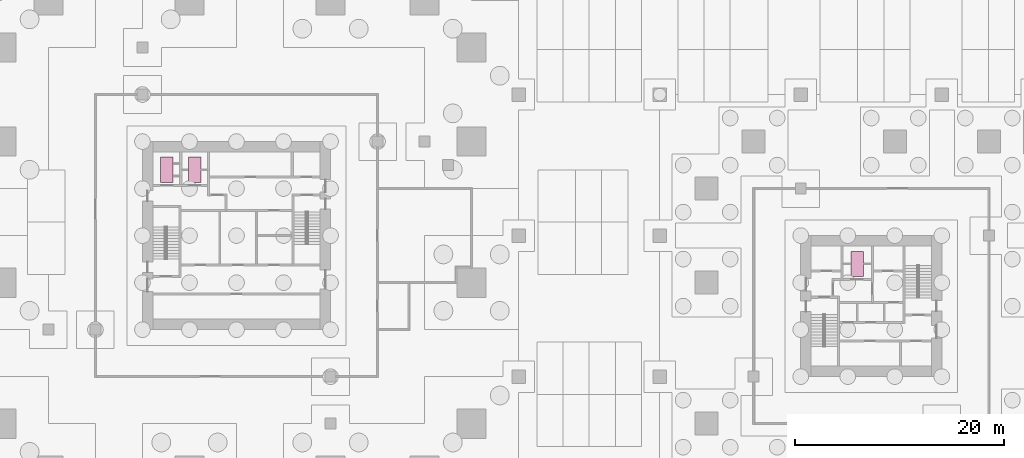
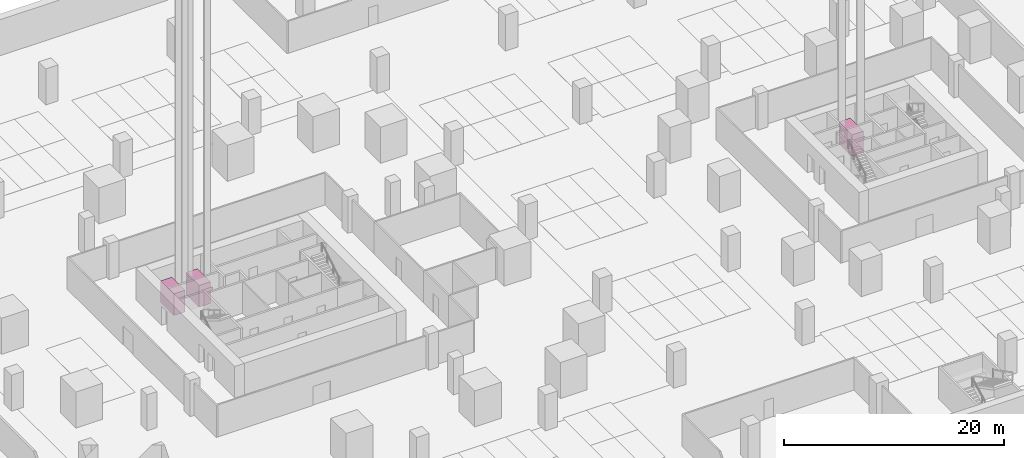
# One storey, part 40 of 40: 3 transport elements.
"""IFC4 building model written with IfcOpenShell, lengths in metres."""

from ifc_helpers import new_model, si_unit, direction, frame, origin, origin_2d, place, context, subcontext, project, spatial, rectangle, extrude, material, type_object, element, save


model = new_model("IFC4")

# Units and contexts
model_context = context("Model", 3, precision=1e-05, world=origin(), true_north=direction((0.0, 1.0)))
body_context = subcontext(model_context, "Body", "Model", "MODEL_VIEW")
ifc_project = project(units=[si_unit("LENGTHUNIT", "METRE"), si_unit("AREAUNIT", "SQUARE_METRE"), si_unit("VOLUMEUNIT", "CUBIC_METRE"), si_unit("PLANEANGLEUNIT", "RADIAN"), si_unit("MASSUNIT", "GRAM", prefix="KILO")], contexts=[model_context])

# Site, building, storey
site_placement = place(None, origin())
site = spatial("IfcSite", under=ifc_project, at=site_placement, CompositionType="ELEMENT")
building_placement = place(site_placement, origin())
building = spatial("IfcBuilding", under=site, at=building_placement, Name="Altepetl Exchange Towers", CompositionType="ELEMENT")
storey_placement = place(building_placement, frame((0.0, 0.0, -8.0)))
storey = spatial("IfcBuildingStorey", under=building, at=storey_placement, Name="B2 Basement parking", CompositionType="ELEMENT", Elevation=-8.0)

# Transport elements
ifc_material = material(Name="Steel", Category="steel")
transport_element_type = type_object("IfcTransportElementType", Name="Firefighting lift car 1200 x 2400", PredefinedType="ELEVATOR", material=ifc_material)
for number, where, name in (
    (1, (42.833251953125, 55.800048828125, 0.0), "Firefighting lift FFL1"),
    (2, (45.5, 55.800048828125, 0.0), "Firefighting lift FFL2"),
    (3, (108.89990234375, 46.800048828125, 0.0), "Firefighting lift FFL1"),
):
    element("IfcTransportElement", number, at=place(storey_placement, frame(where)), inside=storey, type_object=transport_element_type, Name=name, PredefinedType="ELEVATOR", context=body_context, shape_type="SweptSolid", body=[
        extrude(rectangle(XDim=1.199951171875, YDim=2.39990234375, at=origin_2d()), origin(), (0.0, 0.0, 1.0), 2.39990234375),
    ])

save(model, "model.ifc")
